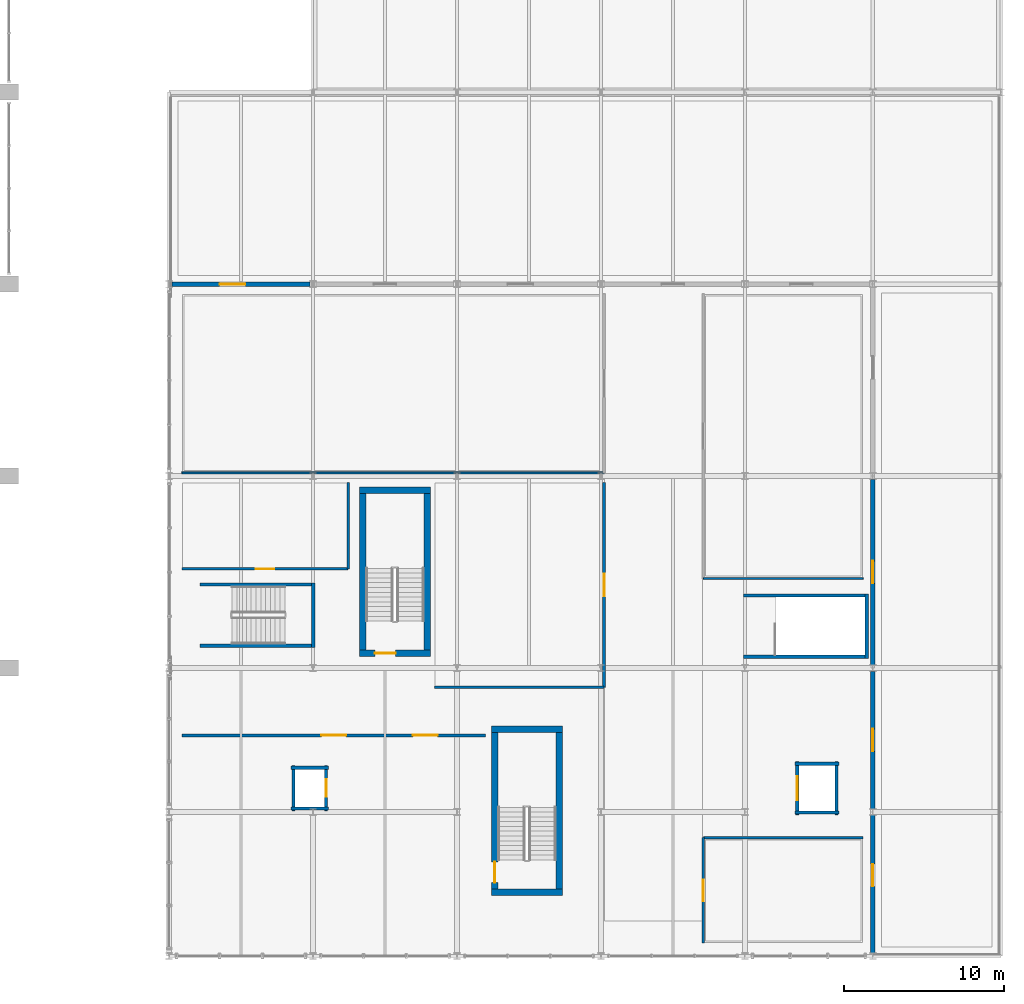
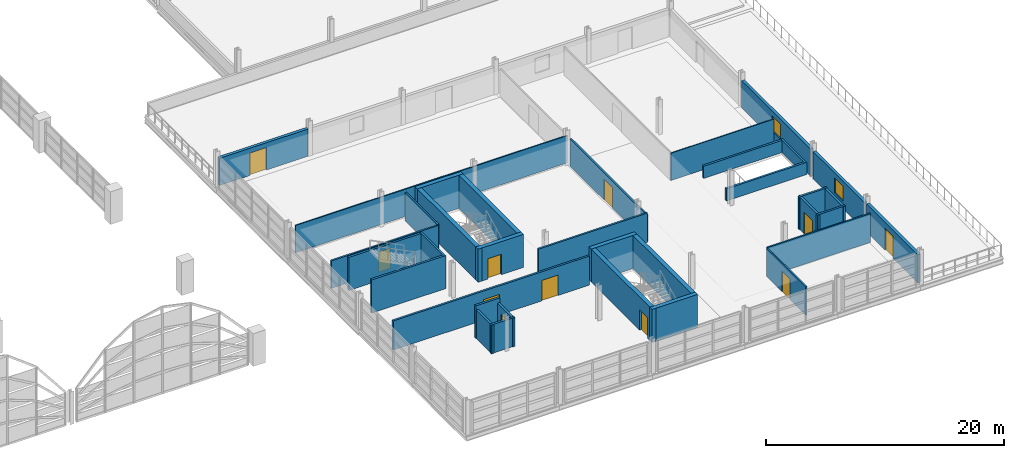
# One storey, part 99 of 116: 35 walls, 11 doors, 2 windows, 13 openings.
"""IFC4 building model written with IfcOpenShell, lengths in metres."""

from ifc_helpers import new_model, si_unit, direction, frame, frame_2d, origin, place, context, subcontext, project, spatial, rectangle, extrude, material, layer, layer_set, type_object, element, fill, save


model = new_model("IFC4")

# Units and contexts
model_context = context("Model", 3, precision=1e-05, world=origin(), true_north=direction((0.0, 1.0)))
body_context = subcontext(model_context, "Body", "Model", "MODEL_VIEW")
ifc_project = project(units=[si_unit("LENGTHUNIT", "METRE"), si_unit("AREAUNIT", "SQUARE_METRE"), si_unit("VOLUMEUNIT", "CUBIC_METRE"), si_unit("PLANEANGLEUNIT", "RADIAN"), si_unit("MASSUNIT", "GRAM", prefix="KILO")], contexts=[model_context])

# Site, building, storey
site_placement = place(None, origin())
site = spatial("IfcSite", under=ifc_project, at=site_placement, CompositionType="ELEMENT")
building_placement = place(site_placement, origin())
building = spatial("IfcBuilding", under=site, at=building_placement, Name="Chuanluo Vaults Station", CompositionType="ELEMENT")
storey_placement = place(building_placement, frame((0.0, 0.0, 10.800048828125)))
storey = spatial("IfcBuildingStorey", under=building, at=storey_placement, Name="L02", CompositionType="ELEMENT", Elevation=10.800048828125)

# Walls
ifc_material_1 = material(Name="Concrete C50", Category="concrete")
ifc_layer_1 = layer(ifc_material_1, 0.39990234375)
ifc_layer_set_1 = layer_set([ifc_layer_1], Name="Concrete C50")
wall_type_1 = type_object("IfcWallType", Name="WL-COR-400", PredefinedType="SHEAR", material=ifc_layer_set_1)
for number, where, z_axis, x_axis, name in (
    (1, (152.137451171875, 18.72509765625, 0.0), (0.0, 0.0, 1.0), (0.0, 1.0, 0.0), "Core K4 left shear wall"),
    (2, (148.117431640625, 29.322509765625, 0.0), (0.0, 0.0, 1.0), (0.0, -1.0, 0.0), "Core K4 right shear wall"),
):
    element("IfcWall", number, at=place(storey_placement, frame(where, z_axis=z_axis, x_axis=x_axis)), inside=storey, type_object=wall_type_1, Name=name, PredefinedType="SHEAR", context=body_context, shape_type="SweptSolid", body=[
        extrude(rectangle(XDim=10.597412109375, YDim=0.39990234375, at=frame_2d((5.298828125, 0.0))), origin(), (0.0, 0.0, 1.0), 3.39990234375),
    ])
wall_1_placement = place(storey_placement, frame((152.33740234375, 29.12255859375, 0.0), z_axis=(0.0, 0.0, 1.0), x_axis=(-1.0, 0.0, 0.0)))
element("IfcWall", 3, at=wall_1_placement, inside=storey, type_object=wall_type_1, Name="Core K4 far shear wall", PredefinedType="SHEAR", context=body_context, shape_type="SweptSolid", body=[
    extrude(rectangle(XDim=4.419921875, YDim=0.39990234375, at=frame_2d((2.2099609375, 0.0))), origin(), (0.0, 0.0, 1.0), 3.39990234375),
])

# Wall, opening, door
wall_2_placement = place(storey_placement, frame((147.91748046875, 18.925048828125, 0.0), z_axis=(0.0, 0.0, 1.0), x_axis=(1.0, 0.0, 0.0)))
wall_2 = element("IfcWall", 4, at=wall_2_placement, inside=storey, type_object=wall_type_1, Name="Core K4 near shear wall", PredefinedType="SHEAR", context=body_context, shape_type="SweptSolid", body=[
    extrude(rectangle(XDim=4.419921875, YDim=0.39990234375, at=frame_2d((2.2099609375, 0.0))), origin(), (0.0, 0.0, 1.0), 3.39990234375),
])
opening_1_placement = place(wall_2_placement, frame((0.949951171875, 0.0, 0.0)))
opening_1 = element("IfcOpeningElement", 5, at=opening_1_placement, cuts=wall_2, Name="Opening FD-05", PredefinedType="OPENING", context=body_context, shape_type="SweptSolid", body=[
    extrude(rectangle(XDim=1.300048828125, YDim=2.10009765625, at=frame_2d((0.64990234375, 1.050048828125))), frame((0.0, 0.20995, 0.0), z_axis=(0.0, -1.0, 0.0), x_axis=(1.0, 0.0, 0.0)), (0.0, 0.0, 1.0), 0.4199),
])
ifc_material_2 = material(Name="Fire-rated steel leaf", Category="steel")
door_type_1 = type_object("IfcDoorType", Name="DR-FIR-1300x2100", OperationType="NOTDEFINED", PredefinedType="DOOR", material=ifc_material_2)
door_1_placement = place(opening_1_placement, origin())
door_1 = element("IfcDoor", 6, at=door_1_placement, inside=storey, type_object=door_type_1, Name="D-082 Stair ST-04 fire door", OperationType="SINGLE_SWING_LEFT", OverallHeight=2.10009765625, OverallWidth=1.300048828125, PredefinedType="DOOR", context=body_context, shape_type="SweptSolid", body=[
    extrude(rectangle(XDim=1.300048828125, YDim=2.10009765625, at=frame_2d((0.64990234375, 1.050048828125))), frame((0.0, 0.02490234375, 0.0), z_axis=(0.0, -1.0, 0.0), x_axis=(1.0, 0.0, 0.0)), (0.0, 0.0, 1.0), 0.050048828125),
])
fill(opening_1, door_1)

# Wall
wall_3_placement = place(storey_placement, frame((160.387451171875, 3.78759765625, 0.0), z_axis=(0.0, 0.0, 1.0), x_axis=(0.0, 1.0, 0.0)))
element("IfcWall", 7, at=wall_3_placement, inside=storey, type_object=wall_type_1, Name="Core K5 left shear wall", PredefinedType="SHEAR", context=body_context, shape_type="SweptSolid", body=[
    extrude(rectangle(XDim=10.597412109375, YDim=0.39990234375, at=frame_2d((5.298828125, 0.0))), origin(), (0.0, 0.0, 1.0), 3.39990234375),
])

# Wall, opening, door
wall_4_placement = place(storey_placement, frame((156.367431640625, 14.385009765625, 0.0), z_axis=(0.0, 0.0, 1.0), x_axis=(0.0, -1.0, 0.0)))
wall_4 = element("IfcWall", 8, at=wall_4_placement, inside=storey, type_object=wall_type_1, Name="Core K5 right shear wall", PredefinedType="SHEAR", context=body_context, shape_type="SweptSolid", body=[
    extrude(rectangle(XDim=10.597412109375, YDim=0.39990234375, at=frame_2d((5.298828125, 0.0))), origin(), (0.0, 0.0, 1.0), 3.39990234375),
])
opening_2_placement = place(wall_4_placement, frame((8.49755859375, 0.0, 0.0)))
opening_2 = element("IfcOpeningElement", 9, at=opening_2_placement, cuts=wall_4, Name="Opening FD-05", PredefinedType="OPENING", context=body_context, shape_type="SweptSolid", body=[
    extrude(rectangle(XDim=1.300048828125, YDim=2.10009765625, at=frame_2d((0.64990234375, 1.050048828125))), frame((0.0, 0.20995, 0.0), z_axis=(0.0, -1.0, 0.0), x_axis=(1.0, 0.0, 0.0)), (0.0, 0.0, 1.0), 0.4199),
])
door_2_placement = place(opening_2_placement, origin())
door_2 = element("IfcDoor", 10, at=door_2_placement, inside=storey, type_object=door_type_1, Name="D-087 Stair ST-05 fire door", OperationType="SINGLE_SWING_RIGHT", OverallHeight=2.10009765625, OverallWidth=1.300048828125, PredefinedType="DOOR", context=body_context, shape_type="SweptSolid", body=[
    extrude(rectangle(XDim=1.300048828125, YDim=2.10009765625, at=frame_2d((0.64990234375, 1.050048828125))), frame((0.0, 0.02490234375, 0.0), z_axis=(0.0, -1.0, 0.0), x_axis=(1.0, 0.0, 0.0)), (0.0, 0.0, 1.0), 0.050048828125),
])
fill(opening_2, door_2)

# Walls
for number, where, z_axis, x_axis, name in (
    (11, (160.58740234375, 14.18505859375, 0.0), (0.0, 0.0, 1.0), (-1.0, 0.0, 0.0), "Core K5 far shear wall"),
    (12, (156.16748046875, 3.987548828125, 0.0), (0.0, 0.0, 1.0), (1.0, 0.0, 0.0), "Core K5 near shear wall"),
):
    element("IfcWall", number, at=place(storey_placement, frame(where, z_axis=z_axis, x_axis=x_axis)), inside=storey, type_object=wall_type_1, Name=name, PredefinedType="SHEAR", context=body_context, shape_type="SweptSolid", body=[
        extrude(rectangle(XDim=4.419921875, YDim=0.39990234375, at=frame_2d((2.2099609375, 0.0))), origin(), (0.0, 0.0, 1.0), 3.39990234375),
    ])

# Wall, opening, door
ifc_material_3 = material(Name="Concrete C40", Category="concrete")
ifc_layer_2 = layer(ifc_material_3, 0.280029296875)
ifc_layer_set_2 = layer_set([ifc_layer_2], Name="Concrete C40")
wall_type_2 = type_object("IfcWallType", Name="WL-EXT-280", PredefinedType="SOLIDWALL", material=ifc_layer_set_2)
wall_5_placement = place(storey_placement, frame((136.199951171875, 42.0, 0.0), z_axis=(0.0, 0.0, 1.0), x_axis=(1.0, 0.0, 0.0)))
wall_5 = element("IfcWall", 13, at=wall_5_placement, inside=storey, type_object=wall_type_2, Name="L02 restaurant north terrace wall 1", PredefinedType="SOLIDWALL", context=body_context, shape_type="SweptSolid", body=[
    extrude(rectangle(XDim=8.60009765625, YDim=0.280029296875, at=frame_2d((4.300048828125, 0.0))), origin(), (0.0, 0.0, 1.0), 2.794921875),
])
opening_3_placement = place(wall_5_placement, frame((2.96875, 0.0, 0.0)))
opening_3 = element("IfcOpeningElement", 14, at=opening_3_placement, cuts=wall_5, Name="Opening D-T01", PredefinedType="OPENING", context=body_context, shape_type="SweptSolid", body=[
    extrude(rectangle(XDim=1.60009765625, YDim=2.300048828125, at=frame_2d((0.800048828125, 1.14990234375))), frame((0.0, 0.15014, 0.0), z_axis=(0.0, -1.0, 0.0), x_axis=(1.0, 0.0, 0.0)), (0.0, 0.0, 1.0), 0.30003),
])
ifc_material_4 = material(Name="Anodised aluminium 6063-T6", Category="aluminium")
door_type_2 = type_object("IfcDoorType", Name="DR-TER-1600x2300", OperationType="NOTDEFINED", PredefinedType="DOOR", material=ifc_material_4)
door_3_placement = place(opening_3_placement, origin())
door_3 = element("IfcDoor", 15, at=door_3_placement, inside=storey, type_object=door_type_2, Name="D-047 L02 restaurant north terrace wall 1 terrace door", OperationType="SINGLE_SWING_RIGHT", OverallHeight=2.300048828125, OverallWidth=1.60009765625, PredefinedType="DOOR", context=body_context, shape_type="SweptSolid", body=[
    extrude(rectangle(XDim=1.60009765625, YDim=2.300048828125, at=frame_2d((0.800048828125, 1.14990234375))), frame((0.0, 0.02490234375, 0.0), z_axis=(0.0, -1.0, 0.0), x_axis=(1.0, 0.0, 0.0)), (0.0, 0.0, 1.0), 0.050048828125),
])
fill(opening_3, door_3)

# Wall, opening, window
wall_6_placement = place(storey_placement, frame((180.0, 29.800048828125, 0.0), z_axis=(0.0, 0.0, 1.0), x_axis=(0.0, -1.0, 0.0)))
wall_6 = element("IfcWall", 16, at=wall_6_placement, inside=storey, type_object=wall_type_2, Name="L02 east garden terrace wall 2", PredefinedType="SOLIDWALL", context=body_context, shape_type="SweptSolid", body=[
    extrude(rectangle(XDim=11.60009765625, YDim=0.280029296875, at=frame_2d((5.800048828125, 0.0))), origin(), (0.0, 0.0, 1.0), 2.794921875),
])
opening_4_placement = place(wall_6_placement, frame((5.10009765625, 0.0, 0.75)))
opening_4 = element("IfcOpeningElement", 17, at=opening_4_placement, cuts=wall_6, Name="Opening W-41", PredefinedType="OPENING", context=body_context, shape_type="SweptSolid", body=[
    extrude(rectangle(XDim=1.39990234375, YDim=1.550048828125, at=frame_2d((0.699951171875, 0.77490234375))), frame((0.0, 0.15014, 0.0), z_axis=(0.0, -1.0, 0.0), x_axis=(1.0, 0.0, 0.0)), (0.0, 0.0, 1.0), 0.30003),
])
ifc_material_5 = material(Name="Double-silver Low-E laminated glass", Category="glass")
window_type = type_object("IfcWindowType", Name="WN-OPS-1400x1550", PartitioningType="SINGLE_PANEL", PredefinedType="WINDOW", material=ifc_material_5)
window_1_placement = place(opening_4_placement, origin())
window_1 = element("IfcWindow", 18, at=window_1_placement, inside=storey, type_object=window_type, Name="W-116 L02 east garden terrace wall 2 window", OverallHeight=1.550048828125, OverallWidth=1.39990234375, PartitioningType="SINGLE_PANEL", PredefinedType="WINDOW", context=body_context, shape_type="SweptSolid", body=[
    extrude(rectangle(XDim=1.39990234375, YDim=1.550048828125, at=frame_2d((0.699951171875, 0.77490234375))), frame((0.0, 0.030029296875, 0.0), z_axis=(0.0, -1.0, 0.0), x_axis=(1.0, 0.0, 0.0)), (0.0, 0.0, 1.0), 0.06005859375),
])
fill(opening_4, window_1)

wall_7_placement = place(storey_placement, frame((180.0, 17.800048828125, 0.0), z_axis=(0.0, 0.0, 1.0), x_axis=(0.0, -1.0, 0.0)))
wall_7 = element("IfcWall", 19, at=wall_7_placement, inside=storey, type_object=wall_type_2, Name="L02 east garden terrace wall 3A", PredefinedType="SOLIDWALL", context=body_context, shape_type="SweptSolid", body=[
    extrude(rectangle(XDim=8.60009765625, YDim=0.280029296875, at=frame_2d((4.300048828125, 0.0))), origin(), (0.0, 0.0, 1.0), 2.794921875),
])
opening_5_placement = place(wall_7_placement, frame((3.60009765625, 0.0, 0.75)))
opening_5 = element("IfcOpeningElement", 20, at=opening_5_placement, cuts=wall_7, Name="Opening W-41", PredefinedType="OPENING", context=body_context, shape_type="SweptSolid", body=[
    extrude(rectangle(XDim=1.39990234375, YDim=1.550048828125, at=frame_2d((0.699951171875, 0.77490234375))), frame((0.0, 0.15014, 0.0), z_axis=(0.0, -1.0, 0.0), x_axis=(1.0, 0.0, 0.0)), (0.0, 0.0, 1.0), 0.30003),
])
window_2_placement = place(opening_5_placement, origin())
window_2 = element("IfcWindow", 21, at=window_2_placement, inside=storey, type_object=window_type, Name="W-117 L02 east garden terrace wall 3A window", OverallHeight=1.550048828125, OverallWidth=1.39990234375, PartitioningType="SINGLE_PANEL", PredefinedType="WINDOW", context=body_context, shape_type="SweptSolid", body=[
    extrude(rectangle(XDim=1.39990234375, YDim=1.550048828125, at=frame_2d((0.699951171875, 0.77490234375))), frame((0.0, 0.030029296875, 0.0), z_axis=(0.0, -1.0, 0.0), x_axis=(1.0, 0.0, 0.0)), (0.0, 0.0, 1.0), 0.06005859375),
])
fill(opening_5, window_2)

# Wall, opening, door
wall_8_placement = place(storey_placement, frame((180.0, 8.800048828125, 0.0), z_axis=(0.0, 0.0, 1.0), x_axis=(0.0, -1.0, 0.0)))
wall_8 = element("IfcWall", 22, at=wall_8_placement, inside=storey, type_object=wall_type_2, Name="L02 east garden terrace wall 3B", PredefinedType="SOLIDWALL", context=body_context, shape_type="SweptSolid", body=[
    extrude(rectangle(XDim=8.60009765625, YDim=0.280029296875, at=frame_2d((4.300048828125, 0.0))), origin(), (0.0, 0.0, 1.0), 2.885009765625),
])
opening_6_placement = place(wall_8_placement, frame((3.052734375, 0.0, 0.0)))
opening_6 = element("IfcOpeningElement", 23, at=opening_6_placement, cuts=wall_8, Name="Opening D-T02", PredefinedType="OPENING", context=body_context, shape_type="SweptSolid", body=[
    extrude(rectangle(XDim=1.39990234375, YDim=2.25, at=frame_2d((0.699951171875, 1.125))), frame((0.0, 0.15014, 0.0), z_axis=(0.0, -1.0, 0.0), x_axis=(1.0, 0.0, 0.0)), (0.0, 0.0, 1.0), 0.30003),
])
ifc_material_6 = material(Name="Anodised aluminium 6063-T6", Category="aluminium")
door_type_3 = type_object("IfcDoorType", Name="DR-TER-1400x2250", OperationType="NOTDEFINED", PredefinedType="DOOR", material=ifc_material_6)
door_4_placement = place(opening_6_placement, origin())
door_4 = element("IfcDoor", 24, at=door_4_placement, inside=storey, type_object=door_type_3, Name="D-051 L02 east garden terrace wall 3B terrace door", OperationType="SINGLE_SWING_RIGHT", OverallHeight=2.25, OverallWidth=1.39990234375, PredefinedType="DOOR", context=body_context, shape_type="SweptSolid", body=[
    extrude(rectangle(XDim=1.39990234375, YDim=2.25, at=frame_2d((0.699951171875, 1.125))), frame((0.0, 0.02490234375, 0.0), z_axis=(0.0, -1.0, 0.0), x_axis=(1.0, 0.0, 0.0)), (0.0, 0.0, 1.0), 0.050048828125),
])
fill(opening_6, door_4)

# Walls
ifc_material_7 = material(Name="Masonry blockwork M10", Category="masonry")
ifc_layer_3 = layer(ifc_material_7, 0.10009765625)
ifc_layer_set_3 = layer_set([ifc_layer_3], Name="Masonry blockwork M10")
wall_type_3 = type_object("IfcWallType", Name="WL-PRT-100", PredefinedType="PARTITIONING", material=ifc_layer_set_3)
wall_9_placement = place(storey_placement, frame((179.39990234375, 23.60009765625, 0.0), z_axis=(0.0, 0.0, 1.0), x_axis=(-1.0, 0.0, 0.0)))
element("IfcWall", 25, at=wall_9_placement, inside=storey, type_object=wall_type_3, Name="L02-06 Pavilion Tea House and Bistro S partition", PredefinedType="PARTITIONING", context=body_context, shape_type="SweptSolid", body=[
    extrude(rectangle(XDim=10.0, YDim=0.10009765625, at=frame_2d((5.0, 0.0))), origin(), (0.0, 0.0, 1.0), 2.794921875),
])
ifc_material_8 = material(Name="Masonry blockwork M10", Category="masonry")
ifc_layer_4 = layer(ifc_material_8, 0.1201171875)
ifc_layer_set_4 = layer_set([ifc_layer_4], Name="Masonry blockwork M10")
wall_type_4 = type_object("IfcWallType", Name="WL-PRT-120", PredefinedType="PARTITIONING", material=ifc_layer_set_4)
wall_10_placement = place(storey_placement, frame((163.199951171875, 30.199951171875, 0.0), z_axis=(0.0, 0.0, 1.0), x_axis=(-1.0, 0.0, 0.0)))
element("IfcWall", 26, at=wall_10_placement, inside=storey, type_object=wall_type_4, Name="L02-05 Jinling Panorama Restaurant S partition", PredefinedType="PARTITIONING", context=body_context, shape_type="SweptSolid", body=[
    extrude(rectangle(XDim=26.39990234375, YDim=0.1201171875, at=frame_2d((13.199951171875, 0.0))), origin(), (0.0, 0.0, 1.0), 2.794921875),
])
ifc_material_9 = material(Name="Autoclaved aerated concrete blockwork MU10", Category="masonry")
ifc_layer_5 = layer(ifc_material_9, 0.139892578125)
ifc_layer_set_5 = layer_set([ifc_layer_5], Name="Autoclaved aerated concrete blockwork MU10")
wall_type_5 = type_object("IfcWallType", Name="WL-PRT-140", PredefinedType="PARTITIONING", material=ifc_layer_set_5)
wall_11_placement = place(storey_placement, frame((169.39990234375, 7.39990234375, 0.0), z_axis=(0.0, 0.0, 1.0), x_axis=(1.0, 0.0, 0.0)))
element("IfcWall", 27, at=wall_11_placement, inside=storey, type_object=wall_type_5, Name="L02-09 East Beverage Bar N partition", PredefinedType="PARTITIONING", context=body_context, shape_type="SweptSolid", body=[
    extrude(rectangle(XDim=10.0, YDim=0.139892578125, at=frame_2d((5.0, 0.0))), origin(), (0.0, 0.0, 1.0), 2.954833984375),
])

# Wall, opening, door
wall_12_placement = place(storey_placement, frame((169.39990234375, 0.800048828125, 0.0), z_axis=(0.0, 0.0, 1.0), x_axis=(0.0, 1.0, 0.0)))
wall_12 = element("IfcWall", 28, at=wall_12_placement, inside=storey, type_object=wall_type_5, Name="L02-09 East Beverage Bar W partition", PredefinedType="PARTITIONING", context=body_context, shape_type="SweptSolid", body=[
    extrude(rectangle(XDim=6.599853515625, YDim=0.139892578125, at=frame_2d((3.2998046875, 0.0))), origin(), (0.0, 0.0, 1.0), 2.9150390625),
])
opening_7_placement = place(wall_12_placement, frame((2.625, 0.0, 0.0)))
opening_7 = element("IfcOpeningElement", 29, at=opening_7_placement, cuts=wall_12, Name="Opening D-I04", PredefinedType="OPENING", context=body_context, shape_type="SweptSolid", body=[
    extrude(rectangle(XDim=1.35009765625, YDim=2.10009765625, at=frame_2d((0.675048828125, 1.050048828125))), frame((0.0, 0.07982, 0.0), z_axis=(0.0, -1.0, 0.0), x_axis=(1.0, 0.0, 0.0)), (0.0, 0.0, 1.0), 0.15989),
])
ifc_material_10 = material(Name="Anodised aluminium 6063-T6", Category="aluminium")
door_type_4 = type_object("IfcDoorType", Name="DR-INT-1350x2100", OperationType="NOTDEFINED", PredefinedType="DOOR", material=ifc_material_10)
door_5_placement = place(opening_7_placement, origin())
door_5 = element("IfcDoor", 30, at=door_5_placement, inside=storey, type_object=door_type_4, Name="D-206 East Beverage Bar door", OperationType="SINGLE_SWING_LEFT", OverallHeight=2.10009765625, OverallWidth=1.35009765625, PredefinedType="DOOR", context=body_context, shape_type="SweptSolid", body=[
    extrude(rectangle(XDim=1.35009765625, YDim=2.10009765625, at=frame_2d((0.675048828125, 1.050048828125))), frame((0.0, 0.02490234375, 0.0), z_axis=(0.0, -1.0, 0.0), x_axis=(1.0, 0.0, 0.0)), (0.0, 0.0, 1.0), 0.050048828125),
])
fill(opening_7, door_5)

ifc_material_11 = material(Name="Autoclaved aerated concrete blockwork MU10", Category="masonry")
ifc_layer_6 = layer(ifc_material_11, 0.159912109375)
ifc_layer_set_6 = layer_set([ifc_layer_6], Name="Autoclaved aerated concrete blockwork MU10")
wall_type_6 = type_object("IfcWallType", Name="WL-PRT-160", PredefinedType="PARTITIONING", material=ifc_layer_set_6)
wall_13_placement = place(storey_placement, frame((147.199951171875, 24.199951171875, 0.0), z_axis=(0.0, 0.0, 1.0), x_axis=(-1.0, 0.0, 0.0)))
wall_13 = element("IfcWall", 31, at=wall_13_placement, inside=storey, type_object=wall_type_6, Name="L02-08B West Banquet Wine and Cold Pantry S partition", PredefinedType="PARTITIONING", context=body_context, shape_type="SweptSolid", body=[
    extrude(rectangle(XDim=10.39990234375, YDim=0.159912109375, at=frame_2d((5.199951171875, 0.0))), origin(), (0.0, 0.0, 1.0), 2.824951171875),
])
opening_8_placement = place(wall_13_placement, frame((4.625, 0.0, 0.0)))
opening_8 = element("IfcOpeningElement", 32, at=opening_8_placement, cuts=wall_13, Name="Opening D-I06", PredefinedType="OPENING", context=body_context, shape_type="SweptSolid", body=[
    extrude(rectangle(XDim=1.14990234375, YDim=2.10009765625, at=frame_2d((0.574951171875, 1.050048828125))), frame((0.0, 0.09008, 0.0), z_axis=(0.0, -1.0, 0.0), x_axis=(1.0, 0.0, 0.0)), (0.0, 0.0, 1.0), 0.17991),
])
ifc_material_12 = material(Name="Anodised aluminium 6063-T6", Category="aluminium")
door_type_5 = type_object("IfcDoorType", Name="DR-INT-1150x2100", OperationType="NOTDEFINED", PredefinedType="DOOR", material=ifc_material_12)
door_6_placement = place(opening_8_placement, origin())
door_6 = element("IfcDoor", 33, at=door_6_placement, inside=storey, type_object=door_type_5, Name="D-205 West Banquet Wine and Cold Pantry door", OperationType="SINGLE_SWING_RIGHT", OverallHeight=2.10009765625, OverallWidth=1.14990234375, PredefinedType="DOOR", context=body_context, shape_type="SweptSolid", body=[
    extrude(rectangle(XDim=1.14990234375, YDim=2.10009765625, at=frame_2d((0.574951171875, 1.050048828125))), frame((0.0, 0.02490234375, 0.0), z_axis=(0.0, -1.0, 0.0), x_axis=(1.0, 0.0, 0.0)), (0.0, 0.0, 1.0), 0.050048828125),
])
fill(opening_8, door_6)

# Walls
wall_14_placement = place(storey_placement, frame((147.199951171875, 29.60009765625, 0.0), z_axis=(0.0, 0.0, 1.0), x_axis=(0.0, -1.0, 0.0)))
element("IfcWall", 34, at=wall_14_placement, inside=storey, type_object=wall_type_6, Name="L02-08B West Banquet Wine and Cold Pantry E partition", PredefinedType="PARTITIONING", context=body_context, shape_type="SweptSolid", body=[
    extrude(rectangle(XDim=5.400146484375, YDim=0.159912109375, at=frame_2d((2.7001953125, 0.0))), origin(), (0.0, 0.0, 1.0), 2.905029296875),
])
ifc_material_13 = material(Name="Autoclaved aerated concrete blockwork MU10", Category="masonry")
ifc_layer_7 = layer(ifc_material_13, 0.175048828125)
ifc_layer_set_7 = layer_set([ifc_layer_7], Name="Autoclaved aerated concrete blockwork MU10")
wall_type_7 = type_object("IfcWallType", Name="WL-PRT-175", PredefinedType="PARTITIONING", material=ifc_layer_set_7)
wall_15_placement = place(storey_placement, frame((163.199951171875, 16.800048828125, 0.0), z_axis=(0.0, 0.0, 1.0), x_axis=(-1.0, 0.0, 0.0)))
element("IfcWall", 35, at=wall_15_placement, inside=storey, type_object=wall_type_7, Name="L02-08 Culinary Preparation Kitchen S partition", PredefinedType="PARTITIONING", context=body_context, shape_type="SweptSolid", body=[
    extrude(rectangle(XDim=10.599853515625, YDim=0.175048828125, at=frame_2d((5.2998046875, 0.0))), origin(), (0.0, 0.0, 1.0), 2.98486328125),
])

# Wall, opening, door
wall_16_placement = place(storey_placement, frame((163.199951171875, 29.60009765625, 0.0), z_axis=(0.0, 0.0, 1.0), x_axis=(0.0, -1.0, 0.0)))
wall_16 = element("IfcWall", 36, at=wall_16_placement, inside=storey, type_object=wall_type_7, Name="L02-08 Culinary Preparation Kitchen E partition", PredefinedType="PARTITIONING", context=body_context, shape_type="SweptSolid", body=[
    extrude(rectangle(XDim=12.800048828125, YDim=0.175048828125, at=frame_2d((6.39990234375, 0.0))), origin(), (0.0, 0.0, 1.0), 2.794921875),
])
opening_9_placement = place(wall_16_placement, frame((5.699951171875, 0.0, 0.0)))
opening_9 = element("IfcOpeningElement", 37, at=opening_9_placement, cuts=wall_16, Name="Opening FD-04", PredefinedType="OPENING", context=body_context, shape_type="SweptSolid", body=[
    extrude(rectangle(XDim=1.39990234375, YDim=2.10009765625, at=frame_2d((0.699951171875, 1.050048828125))), frame((0.0, 0.0974, 0.0), z_axis=(0.0, -1.0, 0.0), x_axis=(1.0, 0.0, 0.0)), (0.0, 0.0, 1.0), 0.19505),
])
ifc_material_14 = material(Name="Fire-rated steel leaf", Category="steel")
door_type_6 = type_object("IfcDoorType", Name="DR-FIR-1400x2100", OperationType="NOTDEFINED", PredefinedType="DOOR", material=ifc_material_14)
door_7_placement = place(opening_9_placement, origin())
door_7 = element("IfcDoor", 38, at=door_7_placement, inside=storey, type_object=door_type_6, Name="D-204 Culinary Preparation Kitchen door", OperationType="SINGLE_SWING_LEFT", OverallHeight=2.10009765625, OverallWidth=1.39990234375, PredefinedType="DOOR", context=body_context, shape_type="SweptSolid", body=[
    extrude(rectangle(XDim=1.39990234375, YDim=2.10009765625, at=frame_2d((0.699951171875, 1.050048828125))), frame((0.0, 0.02490234375, 0.0), z_axis=(0.0, -1.0, 0.0), x_axis=(1.0, 0.0, 0.0)), (0.0, 0.0, 1.0), 0.050048828125),
])
fill(opening_9, door_7)

# Wall, openings, doors
ifc_material_15 = material(Name="Autoclaved aerated concrete blockwork MU10", Category="masonry")
ifc_layer_8 = layer(ifc_material_15, 0.18994140625)
ifc_layer_set_8 = layer_set([ifc_layer_8], Name="Autoclaved aerated concrete blockwork MU10")
wall_type_8 = type_object("IfcWallType", Name="WL-PRT-190", PredefinedType="PARTITIONING", material=ifc_layer_set_8)
wall_17_placement = place(storey_placement, frame((136.800048828125, 13.800048828125, 0.0), z_axis=(0.0, 0.0, 1.0), x_axis=(1.0, 0.0, 0.0)))
wall_17 = element("IfcWall", 39, at=wall_17_placement, inside=storey, type_object=wall_type_8, Name="L02-07 Private Banquet Dining Suite N partition", PredefinedType="PARTITIONING", context=body_context, shape_type="SweptSolid", body=[
    extrude(rectangle(XDim=19.0, YDim=0.18994140625, at=frame_2d((9.5, 0.0))), origin(), (0.0, 0.0, 1.0), 2.98486328125),
])
opening_10_placement = place(wall_17_placement, frame((8.72509765625, 0.0, 0.0)))
opening_10 = element("IfcOpeningElement", 40, at=opening_10_placement, cuts=wall_17, Name="Opening D-I03", PredefinedType="OPENING", context=body_context, shape_type="SweptSolid", body=[
    extrude(rectangle(XDim=1.550048828125, YDim=2.10009765625, at=frame_2d((0.77490234375, 1.050048828125))), frame((0.0, 0.10497, 0.0), z_axis=(0.0, -1.0, 0.0), x_axis=(1.0, 0.0, 0.0)), (0.0, 0.0, 1.0), 0.20994),
])
opening_11_placement = place(wall_17_placement, frame((14.43994140625, 0.0, 0.0)))
opening_11 = element("IfcOpeningElement", 41, at=opening_11_placement, cuts=wall_17, Name="Opening D-I03", PredefinedType="OPENING", context=body_context, shape_type="SweptSolid", body=[
    extrude(rectangle(XDim=1.550048828125, YDim=2.10009765625, at=frame_2d((0.77490234375, 1.050048828125))), frame((0.0, 0.10497, 0.0), z_axis=(0.0, -1.0, 0.0), x_axis=(1.0, 0.0, 0.0)), (0.0, 0.0, 1.0), 0.20994),
])
ifc_material_16 = material(Name="Anodised aluminium 6063-T6", Category="aluminium")
door_type_7 = type_object("IfcDoorType", Name="DR-INT-1550x2100", OperationType="NOTDEFINED", PredefinedType="DOOR", material=ifc_material_16)
door_8_placement = place(opening_10_placement, origin())
door_8 = element("IfcDoor", 42, at=door_8_placement, inside=storey, type_object=door_type_7, Name="D-202 Private Banquet Dining Suite door", OperationType="SINGLE_SWING_LEFT", OverallHeight=2.10009765625, OverallWidth=1.550048828125, PredefinedType="DOOR", context=body_context, shape_type="SweptSolid", body=[
    extrude(rectangle(XDim=1.550048828125, YDim=2.10009765625, at=frame_2d((0.77490234375, 1.050048828125))), frame((0.0, 0.02490234375, 0.0), z_axis=(0.0, -1.0, 0.0), x_axis=(1.0, 0.0, 0.0)), (0.0, 0.0, 1.0), 0.050048828125),
])
fill(opening_10, door_8)
door_9_placement = place(opening_11_placement, origin())
door_9 = element("IfcDoor", 43, at=door_9_placement, inside=storey, type_object=door_type_7, Name="D-203 Private Banquet Dining Suite secondary exit door", OperationType="SINGLE_SWING_RIGHT", OverallHeight=2.10009765625, OverallWidth=1.550048828125, PredefinedType="DOOR", context=body_context, shape_type="SweptSolid", body=[
    extrude(rectangle(XDim=1.550048828125, YDim=2.10009765625, at=frame_2d((0.77490234375, 1.050048828125))), frame((0.0, 0.02490234375, 0.0), z_axis=(0.0, -1.0, 0.0), x_axis=(1.0, 0.0, 0.0)), (0.0, 0.0, 1.0), 0.050048828125),
])
fill(opening_11, door_9)

# Walls
ifc_material_17 = material(Name="Concrete C40", Category="concrete")
ifc_layer_9 = layer(ifc_material_17, 0.199951171875)
ifc_layer_set_9 = layer_set([ifc_layer_9], Name="Concrete C40")
wall_type_9 = type_object("IfcWallType", Name="WL-SHF-200", PredefinedType="SOLIDWALL", material=ifc_layer_set_9)
for number, where, z_axis, x_axis, name in (
    (44, (171.925048828125, 18.71240234375, 0.0), (0.0, 0.0, 1.0), (1.0, 0.0, 0.0), "Stair ST-27 south shaft wall L02"),
    (45, (179.722412109375, 22.532470703125, 0.0), (0.0, 0.0, 1.0), (-1.0, 0.0, 0.0), "Stair ST-27 north shaft wall L02"),
):
    element("IfcWall", number, at=place(storey_placement, frame(where, z_axis=z_axis, x_axis=x_axis)), inside=storey, type_object=wall_type_9, Name=name, PredefinedType="SOLIDWALL", context=body_context, shape_type="SweptSolid", body=[
        extrude(rectangle(XDim=7.79736328125, YDim=0.199951171875, at=frame_2d((3.898681640625, 0.0))), origin(), (0.0, 0.0, 1.0), 1.25),
    ])
wall_18_placement = place(storey_placement, frame((179.62255859375, 18.612548828125, 0.0), z_axis=(0.0, 0.0, 1.0), x_axis=(0.0, 1.0, 0.0)))
element("IfcWall", 46, at=wall_18_placement, inside=storey, type_object=wall_type_9, Name="Stair ST-27 far shaft wall L02", PredefinedType="SOLIDWALL", context=body_context, shape_type="SweptSolid", body=[
    extrude(rectangle(XDim=4.02001953125, YDim=0.199951171875, at=frame_2d((2.010009765625, 0.0))), origin(), (0.0, 0.0, 1.0), 1.25),
])
for number, where, z_axis, x_axis, name in (
    (47, (137.925048828125, 19.39990234375, 0.0), (0.0, 0.0, 1.0), (1.0, 0.0, 0.0), "Stair ST-28 south shaft wall L02"),
    (48, (145.12255859375, 23.219970703125, 0.0), (0.0, 0.0, 1.0), (-1.0, 0.0, 0.0), "Stair ST-28 north shaft wall L02"),
):
    element("IfcWall", number, at=place(storey_placement, frame(where, z_axis=z_axis, x_axis=x_axis)), inside=storey, type_object=wall_type_9, Name=name, PredefinedType="SOLIDWALL", context=body_context, shape_type="SweptSolid", body=[
        extrude(rectangle(XDim=7.197509765625, YDim=0.199951171875, at=frame_2d((3.5986328125, 0.0))), origin(), (0.0, 0.0, 1.0), 3.39990234375),
    ])
wall_19_placement = place(storey_placement, frame((145.0224609375, 19.300048828125, 0.0), z_axis=(0.0, 0.0, 1.0), x_axis=(0.0, 1.0, 0.0)))
element("IfcWall", 49, at=wall_19_placement, inside=storey, type_object=wall_type_9, Name="Stair ST-28 far shaft wall L02", PredefinedType="SOLIDWALL", context=body_context, shape_type="SweptSolid", body=[
    extrude(rectangle(XDim=4.02001953125, YDim=0.199951171875, at=frame_2d((2.010009765625, 0.0))), origin(), (0.0, 0.0, 1.0), 3.39990234375),
])
wall_20_placement = place(storey_placement, frame((143.6298828125, 9.22998046875, 0.0), z_axis=(0.0, 0.0, 1.0), x_axis=(1.0, 0.0, 0.0)))
element("IfcWall", 50, at=wall_20_placement, inside=storey, type_object=wall_type_9, Name="Lift EL-02 shaft wall L02 -Y", PredefinedType="SOLIDWALL", context=body_context, shape_type="SweptSolid", body=[
    extrude(rectangle(XDim=2.340087890625, YDim=0.199951171875, at=frame_2d((1.169921875, 0.0))), origin(), (0.0, 0.0, 1.0), 2.93505859375),
])
wall_21_placement = place(storey_placement, frame((145.969970703125, 11.77001953125, 0.0), z_axis=(0.0, 0.0, 1.0), x_axis=(-1.0, 0.0, 0.0)))
element("IfcWall", 51, at=wall_21_placement, inside=storey, type_object=wall_type_9, Name="Lift EL-02 shaft wall L02 +Y", PredefinedType="SOLIDWALL", context=body_context, shape_type="SweptSolid", body=[
    extrude(rectangle(XDim=2.340087890625, YDim=0.199951171875, at=frame_2d((1.169921875, 0.0))), origin(), (0.0, 0.0, 1.0), 3.375),
])
wall_22_placement = place(storey_placement, frame((143.780029296875, 11.919921875, 0.0), z_axis=(0.0, 0.0, 1.0), x_axis=(0.0, -1.0, 0.0)))
element("IfcWall", 52, at=wall_22_placement, inside=storey, type_object=wall_type_9, Name="Lift EL-02 shaft wall L02 -X", PredefinedType="SOLIDWALL", context=body_context, shape_type="SweptSolid", body=[
    extrude(rectangle(XDim=2.83984375, YDim=0.199951171875, at=frame_2d((1.419921875, 0.0))), origin(), (0.0, 0.0, 1.0), 2.93505859375),
])

# Wall, opening, door
wall_23_placement = place(storey_placement, frame((145.820068359375, 9.080078125, 0.0), z_axis=(0.0, 0.0, 1.0), x_axis=(0.0, 1.0, 0.0)))
wall_23 = element("IfcWall", 53, at=wall_23_placement, inside=storey, type_object=wall_type_9, Name="Lift EL-02 shaft wall L02 +X", PredefinedType="SOLIDWALL", context=body_context, shape_type="SweptSolid", body=[
    extrude(rectangle(XDim=2.83984375, YDim=0.199951171875, at=frame_2d((1.419921875, 0.0))), origin(), (0.0, 0.0, 1.0), 2.93505859375),
])
opening_12_placement = place(wall_23_placement, frame((0.8701171875, 0.0, 0.0)))
opening_12 = element("IfcOpeningElement", 54, at=opening_12_placement, cuts=wall_23, Name="Opening LD-01", PredefinedType="OPENING", context=body_context, shape_type="SweptSolid", body=[
    extrude(rectangle(XDim=1.10009765625, YDim=2.14990234375, at=frame_2d((0.550048828125, 1.074951171875))), frame((0.0, 0.1101, 0.0), z_axis=(0.0, -1.0, 0.0), x_axis=(1.0, 0.0, 0.0)), (0.0, 0.0, 1.0), 0.21995),
])
ifc_material_18 = material(Name="Brushed stainless steel 304", Category="steel")
door_type_8 = type_object("IfcDoorType", Name="DR-LFT-1100x2150", OperationType="SLIDING_TO_LEFT", PredefinedType="DOOR", material=ifc_material_18)
door_10_placement = place(opening_12_placement, origin())
door_10 = element("IfcDoor", 55, at=door_10_placement, inside=storey, type_object=door_type_8, Name="LD-EL-02-04 Lift EL-02 sliding landing door L02", OperationType="SLIDING_TO_LEFT", OverallHeight=2.14990234375, OverallWidth=1.10009765625, PredefinedType="DOOR", context=body_context, shape_type="SweptSolid", body=[
    extrude(rectangle(XDim=1.10009765625, YDim=2.14990234375, at=frame_2d((0.550048828125, 1.074951171875))), frame((0.0, 0.02490234375, 0.0), z_axis=(0.0, -1.0, 0.0), x_axis=(1.0, 0.0, 0.0)), (0.0, 0.0, 1.0), 0.050048828125),
])
fill(opening_12, door_10)

# Walls
for number, where, z_axis, x_axis, name in (
    (56, (175.1298828125, 8.97998046875, 0.0), (0.0, 0.0, 1.0), (1.0, 0.0, 0.0), "Lift GL-01 shaft wall L02 -Y"),
    (57, (177.8701171875, 12.02001953125, 0.0), (0.0, 0.0, 1.0), (-1.0, 0.0, 0.0), "Lift GL-01 shaft wall L02 +Y"),
):
    element("IfcWall", number, at=place(storey_placement, frame(where, z_axis=z_axis, x_axis=x_axis)), inside=storey, type_object=wall_type_9, Name=name, PredefinedType="SOLIDWALL", context=body_context, shape_type="SweptSolid", body=[
        extrude(rectangle(XDim=2.740234375, YDim=0.199951171875, at=frame_2d((1.3701171875, 0.0))), origin(), (0.0, 0.0, 1.0), 3.344970703125),
    ])

# Wall, opening, door
wall_24_placement = place(storey_placement, frame((175.280029296875, 12.169921875, 0.0), z_axis=(0.0, 0.0, 1.0), x_axis=(0.0, -1.0, 0.0)))
wall_24 = element("IfcWall", 58, at=wall_24_placement, inside=storey, type_object=wall_type_9, Name="Lift GL-01 shaft wall L02 -X", PredefinedType="SOLIDWALL", context=body_context, shape_type="SweptSolid", body=[
    extrude(rectangle(XDim=3.33984375, YDim=0.199951171875, at=frame_2d((1.669921875, 0.0))), origin(), (0.0, 0.0, 1.0), 3.344970703125),
])
opening_13_placement = place(wall_24_placement, frame((0.919921875, 0.0, 0.0)))
opening_13 = element("IfcOpeningElement", 59, at=opening_13_placement, cuts=wall_24, Name="Opening LD-03", PredefinedType="OPENING", context=body_context, shape_type="SweptSolid", body=[
    extrude(rectangle(XDim=1.5, YDim=2.199951171875, at=frame_2d((0.75, 1.10009765625))), frame((0.0, 0.1101, 0.0), z_axis=(0.0, -1.0, 0.0), x_axis=(1.0, 0.0, 0.0)), (0.0, 0.0, 1.0), 0.21995),
])
ifc_material_19 = material(Name="Brushed stainless steel 304", Category="steel")
door_type_9 = type_object("IfcDoorType", Name="DR-LFT-1500x2200", OperationType="SLIDING_TO_LEFT", PredefinedType="DOOR", material=ifc_material_19)
door_11_placement = place(opening_13_placement, origin())
door_11 = element("IfcDoor", 60, at=door_11_placement, inside=storey, type_object=door_type_9, Name="LD-GL-01-04 Lift GL-01 sliding landing door L02", OperationType="SLIDING_TO_LEFT", OverallHeight=2.199951171875, OverallWidth=1.5, PredefinedType="DOOR", context=body_context, shape_type="SweptSolid", body=[
    extrude(rectangle(XDim=1.5, YDim=2.199951171875, at=frame_2d((0.75, 1.10009765625))), frame((0.0, 0.02490234375, 0.0), z_axis=(0.0, -1.0, 0.0), x_axis=(1.0, 0.0, 0.0)), (0.0, 0.0, 1.0), 0.050048828125),
])
fill(opening_13, door_11)

# Wall
wall_25_placement = place(storey_placement, frame((177.719970703125, 8.830078125, 0.0), z_axis=(0.0, 0.0, 1.0), x_axis=(0.0, 1.0, 0.0)))
element("IfcWall", 61, at=wall_25_placement, inside=storey, type_object=wall_type_9, Name="Lift GL-01 shaft wall L02 +X", PredefinedType="SOLIDWALL", context=body_context, shape_type="SweptSolid", body=[
    extrude(rectangle(XDim=3.33984375, YDim=0.199951171875, at=frame_2d((1.669921875, 0.0))), origin(), (0.0, 0.0, 1.0), 3.344970703125),
])

save(model, "model.ifc")
